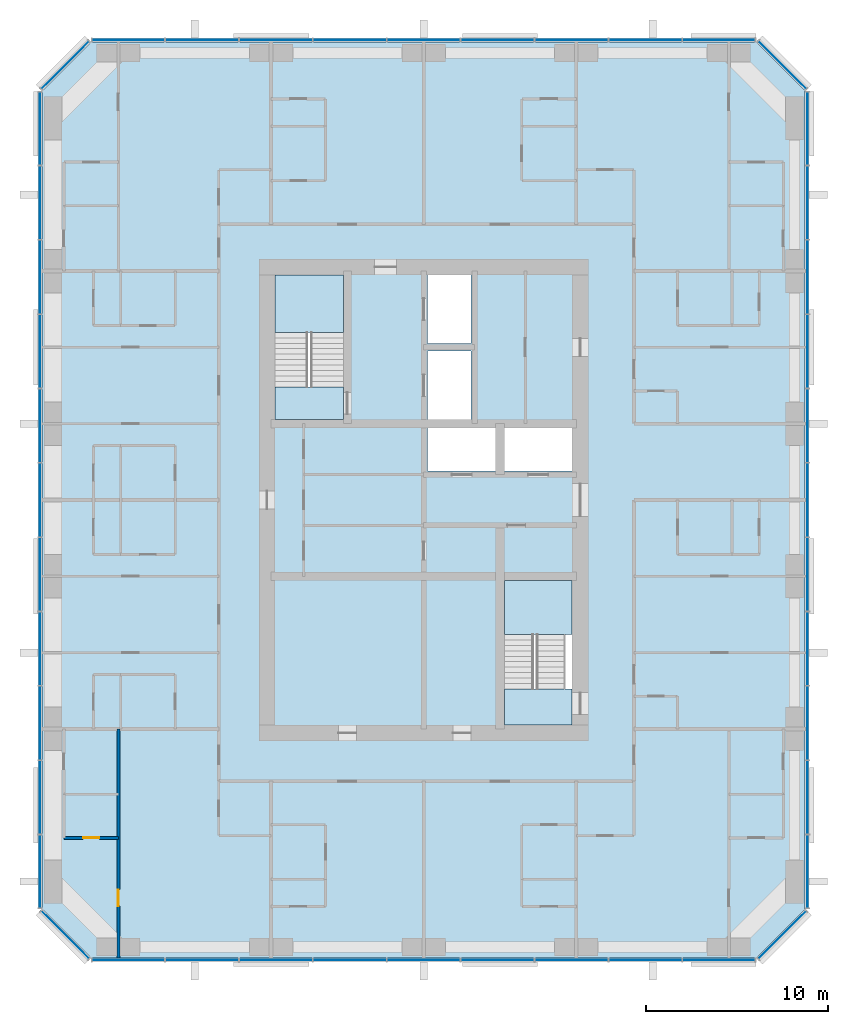
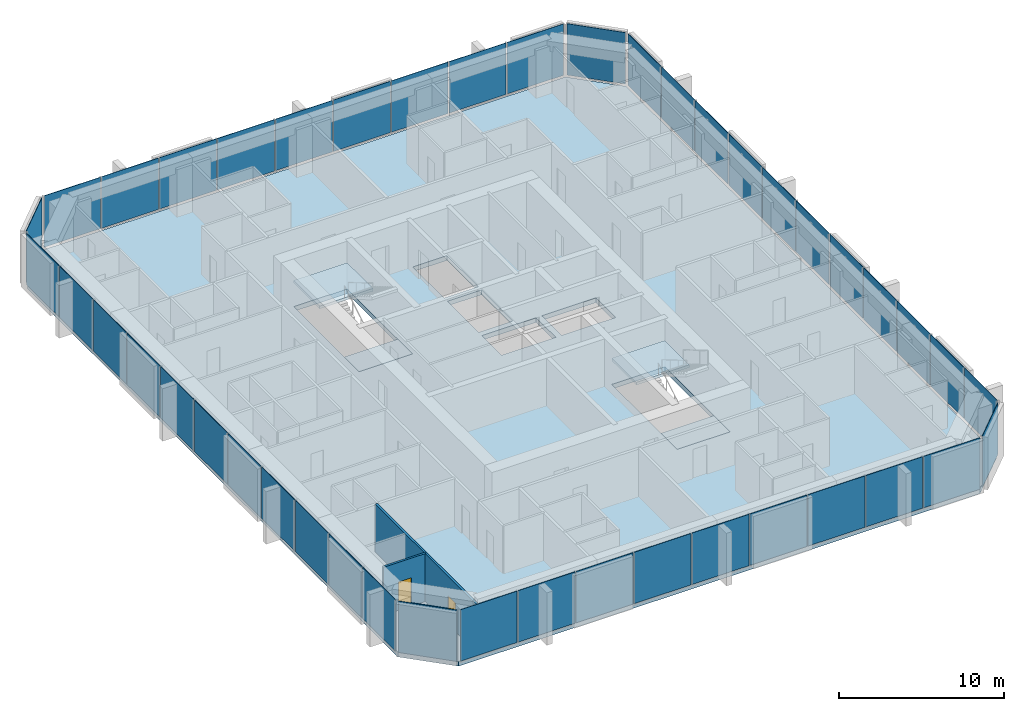
# One storey, part 6 of 12: 44 plates, 5 slabs, 2 doors, 2 walls, 2 openings, 10 elements without a shape of their own.
"""IFC4 building model written with IfcOpenShell, lengths in metres."""

from ifc_helpers import new_model, si_unit, direction, frame, frame_2d, origin, origin_2d, place, context, subcontext, project, spatial, polyline, rectangle, outline, extrude, material, layer, layer_set, type_object, element, fill, aggregate, save


model = new_model("IFC4")

# Units and contexts
model_context = context("Model", 3, precision=1e-05, world=origin(), true_north=direction((0.0, 1.0)))
body_context = subcontext(model_context, "Body", "Model", "MODEL_VIEW")
ifc_project = project(units=[si_unit("LENGTHUNIT", "METRE"), si_unit("AREAUNIT", "SQUARE_METRE"), si_unit("VOLUMEUNIT", "CUBIC_METRE"), si_unit("PLANEANGLEUNIT", "RADIAN"), si_unit("MASSUNIT", "GRAM", prefix="KILO")], contexts=[model_context])

# Site, building, storey
site_placement = place(None, origin())
site = spatial("IfcSite", under=ifc_project, at=site_placement, CompositionType="ELEMENT")
building_placement = place(site_placement, origin())
building = spatial("IfcBuilding", under=site, at=building_placement, Name="Dunama Terrace Hotel", CompositionType="ELEMENT")
storey_placement = place(building_placement, frame((0.0, 0.0, 237.300048828125)))
storey = spatial("IfcBuildingStorey", under=building, at=storey_placement, Name="L61", CompositionType="ELEMENT", Elevation=237.300048828125)

# Curtain wall, plates
ifc_material_1 = material(Name="Aluminium curtain wall system", Category="aluminium")
curtain_wall_type = type_object("IfcCurtainWallType", Name="Unitised fritted glass wall CW-D", PredefinedType="NOTDEFINED", material=ifc_material_1)
curtain_wall_1_placement = place(storey_placement, origin())
curtain_wall_1 = element("IfcCurtainWall", 1, at=curtain_wall_1_placement, inside=storey, type_object=curtain_wall_type, Name="Unitised fritted glass wall CW-D L61", PredefinedType="NOTDEFINED")
ifc_material_2 = material(Name="Laminated glass", Category="glass")
ifc_layer_1 = layer(ifc_material_2, 0.035888671875)
ifc_layer_set_1 = layer_set([ifc_layer_1], Name="CWD clear glass panel")
plate_type_1 = type_object("IfcPlateType", Name="CWD clear glass panel", PredefinedType="CURTAIN_PANEL", material=ifc_layer_set_1)
plate_1_placement = place(storey_placement, frame((17.35107421875, 4.080078125, 0.0849609375), z_axis=(0.0, 0.0, 1.0), x_axis=(1.0, 0.0, 0.0)))
plate_1 = element("IfcPlate", 2, at=plate_1_placement, type_object=plate_type_1, Name="CWD clear glass panel", PredefinedType="CURTAIN_PANEL", context=body_context, shape_type="SweptSolid", body=[
    extrude(rectangle(XDim=3.961669921875, YDim=0.035888671875, at=origin_2d()), origin(), (0.0, 0.0, 1.0), 3.81494140625),
])
plate_2_placement = place(storey_placement, frame((29.532958984375, 4.080078125, 0.0849609375), z_axis=(0.0, 0.0, 1.0), x_axis=(1.0, 0.0, 0.0)))
plate_2 = element("IfcPlate", 3, at=plate_2_placement, type_object=plate_type_1, Name="CWD clear glass panel", PredefinedType="CURTAIN_PANEL", context=body_context, shape_type="SweptSolid", body=[
    extrude(rectangle(XDim=3.99658203125, YDim=0.035888671875, at=origin_2d()), origin(), (0.0, 0.0, 1.0), 3.81494140625),
])
plate_3_placement = place(storey_placement, frame((41.73291015625, 4.080078125, 0.0849609375), z_axis=(0.0, 0.0, 1.0), x_axis=(1.0, 0.0, 0.0)))
plate_3 = element("IfcPlate", 4, at=plate_3_placement, type_object=plate_type_1, Name="CWD clear glass panel", PredefinedType="CURTAIN_PANEL", context=body_context, shape_type="SweptSolid", body=[
    extrude(rectangle(XDim=3.99658203125, YDim=0.035888671875, at=origin_2d()), origin(), (0.0, 0.0, 1.0), 3.81494140625),
])

# Curtain wall, plate
curtain_wall_2_placement = place(storey_placement, origin())
curtain_wall_2 = element("IfcCurtainWall", 5, at=curtain_wall_2_placement, inside=storey, type_object=curtain_wall_type, Name="Unitised fritted glass wall CW-D L61", PredefinedType="NOTDEFINED")
plate_4_placement = place(storey_placement, frame((53.3349609375, 5.465087890625, 0.0849609375), z_axis=(0.0, 0.0, 1.0), x_axis=(0.707106781187, 0.707106781187, 0.0)))
plate_4 = element("IfcPlate", 6, at=plate_4_placement, type_object=plate_type_1, Name="CWD clear glass panel", PredefinedType="CURTAIN_PANEL", context=body_context, shape_type="SweptSolid", body=[
    extrude(rectangle(XDim=3.678466796875, YDim=0.035888671875, at=origin_2d()), origin(), (0.0, 0.0, 1.0), 3.81494140625),
])
aggregate(curtain_wall_2, [plate_4])

# Curtain wall, plates
curtain_wall_3_placement = place(storey_placement, origin())
curtain_wall_3 = element("IfcCurtainWall", 7, at=curtain_wall_3_placement, inside=storey, type_object=curtain_wall_type, Name="Unitised fritted glass wall CW-D L61", PredefinedType="NOTDEFINED")
plate_5_placement = place(storey_placement, frame((54.719970703125, 17.126953125, 0.0849609375), z_axis=(0.0, 0.0, 1.0), x_axis=(0.0, 1.0, 0.0)))
plate_5 = element("IfcPlate", 8, at=plate_5_placement, type_object=plate_type_1, Name="CWD clear glass panel", PredefinedType="CURTAIN_PANEL", context=body_context, shape_type="SweptSolid", body=[
    extrude(rectangle(XDim=4.02099609375, YDim=0.035888671875, at=origin_2d()), origin(), (0.0, 0.0, 1.0), 3.81494140625),
])
plate_6_placement = place(storey_placement, frame((54.719970703125, 29.39990234375, 0.0849609375), z_axis=(0.0, 0.0, 1.0), x_axis=(0.0, 1.0, 0.0)))
plate_6 = element("IfcPlate", 9, at=plate_6_placement, type_object=plate_type_1, Name="CWD clear glass panel", PredefinedType="CURTAIN_PANEL", context=body_context, shape_type="SweptSolid", body=[
    extrude(rectangle(XDim=4.02099609375, YDim=0.035888671875, at=origin_2d()), origin(), (0.0, 0.0, 1.0), 3.81494140625),
])
plate_7_placement = place(storey_placement, frame((54.719970703125, 41.673095703125, 0.0849609375), z_axis=(0.0, 0.0, 1.0), x_axis=(0.0, 1.0, 0.0)))
plate_7 = element("IfcPlate", 10, at=plate_7_placement, type_object=plate_type_1, Name="CWD clear glass panel", PredefinedType="CURTAIN_PANEL", context=body_context, shape_type="SweptSolid", body=[
    extrude(rectangle(XDim=4.02099609375, YDim=0.035888671875, at=origin_2d()), origin(), (0.0, 0.0, 1.0), 3.81494140625),
])

# Curtain wall, plate
curtain_wall_4_placement = place(storey_placement, origin())
curtain_wall_4 = element("IfcCurtainWall", 11, at=curtain_wall_4_placement, inside=storey, type_object=curtain_wall_type, Name="Unitised fritted glass wall CW-D L61", PredefinedType="NOTDEFINED")
plate_8_placement = place(storey_placement, frame((53.3349609375, 53.3349609375, 0.0849609375), z_axis=(0.0, 0.0, 1.0), x_axis=(-0.707106781187, 0.707106781187, 0.0)))
plate_8 = element("IfcPlate", 12, at=plate_8_placement, type_object=plate_type_1, Name="CWD clear glass panel", PredefinedType="CURTAIN_PANEL", context=body_context, shape_type="SweptSolid", body=[
    extrude(rectangle(XDim=3.678466796875, YDim=0.035888671875, at=origin_2d()), origin(), (0.0, 0.0, 1.0), 3.81494140625),
])
aggregate(curtain_wall_4, [plate_8])

# Curtain wall, plates
curtain_wall_5_placement = place(storey_placement, origin())
curtain_wall_5 = element("IfcCurtainWall", 13, at=curtain_wall_5_placement, inside=storey, type_object=curtain_wall_type, Name="Unitised fritted glass wall CW-D L61", PredefinedType="NOTDEFINED")
plate_9_placement = place(storey_placement, frame((41.73291015625, 54.719970703125, 0.0849609375), z_axis=(0.0, 0.0, 1.0), x_axis=(-1.0, 0.0, 0.0)))
plate_9 = element("IfcPlate", 14, at=plate_9_placement, type_object=plate_type_1, Name="CWD clear glass panel", PredefinedType="CURTAIN_PANEL", context=body_context, shape_type="SweptSolid", body=[
    extrude(rectangle(XDim=3.99658203125, YDim=0.035888671875, at=origin_2d()), origin(), (0.0, 0.0, 1.0), 3.81494140625),
])
plate_10_placement = place(storey_placement, frame((29.532958984375, 54.719970703125, 0.0849609375), z_axis=(0.0, 0.0, 1.0), x_axis=(-1.0, 0.0, 0.0)))
plate_10 = element("IfcPlate", 15, at=plate_10_placement, type_object=plate_type_1, Name="CWD clear glass panel", PredefinedType="CURTAIN_PANEL", context=body_context, shape_type="SweptSolid", body=[
    extrude(rectangle(XDim=3.99658203125, YDim=0.035888671875, at=origin_2d()), origin(), (0.0, 0.0, 1.0), 3.81494140625),
])
plate_11_placement = place(storey_placement, frame((17.35107421875, 54.719970703125, 0.0849609375), z_axis=(0.0, 0.0, 1.0), x_axis=(-1.0, 0.0, 0.0)))
plate_11 = element("IfcPlate", 16, at=plate_11_placement, type_object=plate_type_1, Name="CWD clear glass panel", PredefinedType="CURTAIN_PANEL", context=body_context, shape_type="SweptSolid", body=[
    extrude(rectangle(XDim=3.961669921875, YDim=0.035888671875, at=origin_2d()), origin(), (0.0, 0.0, 1.0), 3.81494140625),
])

curtain_wall_6_placement = place(storey_placement, origin())
curtain_wall_6 = element("IfcCurtainWall", 17, at=curtain_wall_6_placement, inside=storey, type_object=curtain_wall_type, Name="Unitised fritted glass wall CW-D L61", PredefinedType="NOTDEFINED")
plate_12_placement = place(storey_placement, frame((12.47998046875, 45.763916015625, 0.0849609375), z_axis=(0.0, 0.0, 1.0), x_axis=(0.0, -1.0, 0.0)))
plate_12 = element("IfcPlate", 18, at=plate_12_placement, type_object=plate_type_1, Name="CWD clear glass panel", PredefinedType="CURTAIN_PANEL", context=body_context, shape_type="SweptSolid", body=[
    extrude(rectangle(XDim=4.02099609375, YDim=0.035888671875, at=origin_2d()), origin(), (0.0, 0.0, 1.0), 3.81494140625),
])
plate_13_placement = place(storey_placement, frame((12.47998046875, 33.490966796875, 0.0849609375), z_axis=(0.0, 0.0, 1.0), x_axis=(0.0, -1.0, 0.0)))
plate_13 = element("IfcPlate", 19, at=plate_13_placement, type_object=plate_type_1, Name="CWD clear glass panel", PredefinedType="CURTAIN_PANEL", context=body_context, shape_type="SweptSolid", body=[
    extrude(rectangle(XDim=4.02099609375, YDim=0.035888671875, at=origin_2d()), origin(), (0.0, 0.0, 1.0), 3.81494140625),
])
plate_14_placement = place(storey_placement, frame((12.47998046875, 21.218017578125, 0.0849609375), z_axis=(0.0, 0.0, 1.0), x_axis=(0.0, -1.0, 0.0)))
plate_14 = element("IfcPlate", 20, at=plate_14_placement, type_object=plate_type_1, Name="CWD clear glass panel", PredefinedType="CURTAIN_PANEL", context=body_context, shape_type="SweptSolid", body=[
    extrude(rectangle(XDim=4.02099609375, YDim=0.035888671875, at=origin_2d()), origin(), (0.0, 0.0, 1.0), 3.81494140625),
])
plate_15_placement = place(storey_placement, frame((12.47998046875, 8.962890625, 0.0849609375), z_axis=(0.0, 0.0, 1.0), x_axis=(0.0, -1.0, 0.0)))
plate_15 = element("IfcPlate", 21, at=plate_15_placement, type_object=plate_type_1, Name="CWD clear glass panel", PredefinedType="CURTAIN_PANEL", context=body_context, shape_type="SweptSolid", body=[
    extrude(rectangle(XDim=3.98583984375, YDim=0.035888671875, at=origin_2d()), origin(), (0.0, 0.0, 1.0), 3.81494140625),
])

# Plate
ifc_material_3 = material(Name="Fritted laminated glass", Category="glass")
ifc_layer_2 = layer(ifc_material_3, 0.035888671875)
ifc_layer_set_2 = layer_set([ifc_layer_2], Name="CWD fritted glass panel")
plate_type_2 = type_object("IfcPlateType", Name="CWD fritted glass panel", PredefinedType="CURTAIN_PANEL", material=ifc_layer_set_2)
plate_16_placement = place(storey_placement, frame((25.467041015625, 4.080078125, 0.0849609375), z_axis=(0.0, 0.0, 1.0), x_axis=(1.0, 0.0, 0.0)))
plate_16 = element("IfcPlate", 22, at=plate_16_placement, type_object=plate_type_2, Name="CWD fritted glass panel", PredefinedType="CURTAIN_PANEL", context=body_context, shape_type="SweptSolid", body=[
    extrude(rectangle(XDim=3.99658203125, YDim=0.035888671875, at=origin_2d()), origin(), (0.0, 0.0, 1.0), 3.81494140625),
])

plate_17_placement = place(storey_placement, frame((37.6669921875, 4.080078125, 0.0849609375), z_axis=(0.0, 0.0, 1.0), x_axis=(1.0, 0.0, 0.0)))
plate_17 = element("IfcPlate", 23, at=plate_17_placement, type_object=plate_type_2, Name="CWD fritted glass panel", PredefinedType="CURTAIN_PANEL", context=body_context, shape_type="SweptSolid", body=[
    extrude(rectangle(XDim=3.99658203125, YDim=0.035888671875, at=origin_2d()), origin(), (0.0, 0.0, 1.0), 3.81494140625),
])

plate_18_placement = place(storey_placement, frame((49.84912109375, 4.080078125, 0.0849609375), z_axis=(0.0, 0.0, 1.0), x_axis=(1.0, 0.0, 0.0)))
plate_18 = element("IfcPlate", 24, at=plate_18_placement, type_object=plate_type_2, Name="CWD fritted glass panel", PredefinedType="CURTAIN_PANEL", context=body_context, shape_type="SweptSolid", body=[
    extrude(rectangle(XDim=3.961669921875, YDim=0.035888671875, at=origin_2d()), origin(), (0.0, 0.0, 1.0), 3.81494140625),
])

plate_19_placement = place(storey_placement, frame((54.719970703125, 13.035888671875, 0.0849609375), z_axis=(0.0, 0.0, 1.0), x_axis=(0.0, 1.0, 0.0)))
plate_19 = element("IfcPlate", 25, at=plate_19_placement, type_object=plate_type_2, Name="CWD fritted glass panel", PredefinedType="CURTAIN_PANEL", context=body_context, shape_type="SweptSolid", body=[
    extrude(rectangle(XDim=4.02099609375, YDim=0.035888671875, at=origin_2d()), origin(), (0.0, 0.0, 1.0), 3.81494140625),
])

plate_20_placement = place(storey_placement, frame((54.719970703125, 25.30908203125, 0.0849609375), z_axis=(0.0, 0.0, 1.0), x_axis=(0.0, 1.0, 0.0)))
plate_20 = element("IfcPlate", 26, at=plate_20_placement, type_object=plate_type_2, Name="CWD fritted glass panel", PredefinedType="CURTAIN_PANEL", context=body_context, shape_type="SweptSolid", body=[
    extrude(rectangle(XDim=4.02099609375, YDim=0.035888671875, at=origin_2d()), origin(), (0.0, 0.0, 1.0), 3.81494140625),
])

plate_21_placement = place(storey_placement, frame((54.719970703125, 37.58203125, 0.0849609375), z_axis=(0.0, 0.0, 1.0), x_axis=(0.0, 1.0, 0.0)))
plate_21 = element("IfcPlate", 27, at=plate_21_placement, type_object=plate_type_2, Name="CWD fritted glass panel", PredefinedType="CURTAIN_PANEL", context=body_context, shape_type="SweptSolid", body=[
    extrude(rectangle(XDim=4.02099609375, YDim=0.035888671875, at=origin_2d()), origin(), (0.0, 0.0, 1.0), 3.81494140625),
])

plate_22_placement = place(storey_placement, frame((54.719970703125, 49.8369140625, 0.0849609375), z_axis=(0.0, 0.0, 1.0), x_axis=(0.0, 1.0, 0.0)))
plate_22 = element("IfcPlate", 28, at=plate_22_placement, type_object=plate_type_2, Name="CWD fritted glass panel", PredefinedType="CURTAIN_PANEL", context=body_context, shape_type="SweptSolid", body=[
    extrude(rectangle(XDim=3.98583984375, YDim=0.035888671875, at=origin_2d()), origin(), (0.0, 0.0, 1.0), 3.81494140625),
])

plate_23_placement = place(storey_placement, frame((45.800048828125, 54.719970703125, 0.0849609375), z_axis=(0.0, 0.0, 1.0), x_axis=(-1.0, 0.0, 0.0)))
plate_23 = element("IfcPlate", 29, at=plate_23_placement, type_object=plate_type_2, Name="CWD fritted glass panel", PredefinedType="CURTAIN_PANEL", context=body_context, shape_type="SweptSolid", body=[
    extrude(rectangle(XDim=3.99658203125, YDim=0.035888671875, at=origin_2d()), origin(), (0.0, 0.0, 1.0), 3.81494140625),
])

plate_24_placement = place(storey_placement, frame((33.60009765625, 54.719970703125, 0.0849609375), z_axis=(0.0, 0.0, 1.0), x_axis=(-1.0, 0.0, 0.0)))
plate_24 = element("IfcPlate", 30, at=plate_24_placement, type_object=plate_type_2, Name="CWD fritted glass panel", PredefinedType="CURTAIN_PANEL", context=body_context, shape_type="SweptSolid", body=[
    extrude(rectangle(XDim=3.99658203125, YDim=0.035888671875, at=origin_2d()), origin(), (0.0, 0.0, 1.0), 3.81494140625),
])

plate_25_placement = place(storey_placement, frame((21.39990234375, 54.719970703125, 0.0849609375), z_axis=(0.0, 0.0, 1.0), x_axis=(-1.0, 0.0, 0.0)))
plate_25 = element("IfcPlate", 31, at=plate_25_placement, type_object=plate_type_2, Name="CWD fritted glass panel", PredefinedType="CURTAIN_PANEL", context=body_context, shape_type="SweptSolid", body=[
    extrude(rectangle(XDim=3.99658203125, YDim=0.035888671875, at=origin_2d()), origin(), (0.0, 0.0, 1.0), 3.81494140625),
])

plate_26_placement = place(storey_placement, frame((12.47998046875, 49.8369140625, 0.0849609375), z_axis=(0.0, 0.0, 1.0), x_axis=(0.0, -1.0, 0.0)))
plate_26 = element("IfcPlate", 32, at=plate_26_placement, type_object=plate_type_2, Name="CWD fritted glass panel", PredefinedType="CURTAIN_PANEL", context=body_context, shape_type="SweptSolid", body=[
    extrude(rectangle(XDim=3.98583984375, YDim=0.035888671875, at=origin_2d()), origin(), (0.0, 0.0, 1.0), 3.81494140625),
])

plate_27_placement = place(storey_placement, frame((12.47998046875, 37.58203125, 0.0849609375), z_axis=(0.0, 0.0, 1.0), x_axis=(0.0, -1.0, 0.0)))
plate_27 = element("IfcPlate", 33, at=plate_27_placement, type_object=plate_type_2, Name="CWD fritted glass panel", PredefinedType="CURTAIN_PANEL", context=body_context, shape_type="SweptSolid", body=[
    extrude(rectangle(XDim=4.02099609375, YDim=0.035888671875, at=origin_2d()), origin(), (0.0, 0.0, 1.0), 3.81494140625),
])

plate_28_placement = place(storey_placement, frame((12.47998046875, 25.30908203125, 0.0849609375), z_axis=(0.0, 0.0, 1.0), x_axis=(0.0, -1.0, 0.0)))
plate_28 = element("IfcPlate", 34, at=plate_28_placement, type_object=plate_type_2, Name="CWD fritted glass panel", PredefinedType="CURTAIN_PANEL", context=body_context, shape_type="SweptSolid", body=[
    extrude(rectangle(XDim=4.02099609375, YDim=0.035888671875, at=origin_2d()), origin(), (0.0, 0.0, 1.0), 3.81494140625),
])

plate_29_placement = place(storey_placement, frame((12.47998046875, 13.035888671875, 0.0849609375), z_axis=(0.0, 0.0, 1.0), x_axis=(0.0, -1.0, 0.0)))
plate_29 = element("IfcPlate", 35, at=plate_29_placement, type_object=plate_type_2, Name="CWD fritted glass panel", PredefinedType="CURTAIN_PANEL", context=body_context, shape_type="SweptSolid", body=[
    extrude(rectangle(XDim=4.02099609375, YDim=0.035888671875, at=origin_2d()), origin(), (0.0, 0.0, 1.0), 3.81494140625),
])

ifc_material_4 = material(Name="Laminated glass", Category="glass")
ifc_layer_3 = layer(ifc_material_4, 0.035888671875)
ifc_layer_set_3 = layer_set([ifc_layer_3], Name="CWD operable glass panel")
plate_type_3 = type_object("IfcPlateType", Name="CWD operable glass panel", PredefinedType="CURTAIN_PANEL", material=ifc_layer_set_3)
plate_30_placement = place(storey_placement, frame((21.39990234375, 4.080078125, 0.0849609375), z_axis=(0.0, 0.0, 1.0), x_axis=(1.0, 0.0, 0.0)))
plate_30 = element("IfcPlate", 36, at=plate_30_placement, type_object=plate_type_3, Name="CWD operable glass panel", PredefinedType="CURTAIN_PANEL", context=body_context, shape_type="SweptSolid", body=[
    extrude(rectangle(XDim=3.99658203125, YDim=0.035888671875, at=origin_2d()), origin(), (0.0, 0.0, 1.0), 3.81494140625),
])

plate_31_placement = place(storey_placement, frame((33.60009765625, 4.080078125, 0.0849609375), z_axis=(0.0, 0.0, 1.0), x_axis=(1.0, 0.0, 0.0)))
plate_31 = element("IfcPlate", 37, at=plate_31_placement, type_object=plate_type_3, Name="CWD operable glass panel", PredefinedType="CURTAIN_PANEL", context=body_context, shape_type="SweptSolid", body=[
    extrude(rectangle(XDim=3.99658203125, YDim=0.035888671875, at=origin_2d()), origin(), (0.0, 0.0, 1.0), 3.81494140625),
])

plate_32_placement = place(storey_placement, frame((45.800048828125, 4.080078125, 0.0849609375), z_axis=(0.0, 0.0, 1.0), x_axis=(1.0, 0.0, 0.0)))
plate_32 = element("IfcPlate", 38, at=plate_32_placement, type_object=plate_type_3, Name="CWD operable glass panel", PredefinedType="CURTAIN_PANEL", context=body_context, shape_type="SweptSolid", body=[
    extrude(rectangle(XDim=3.99658203125, YDim=0.035888671875, at=origin_2d()), origin(), (0.0, 0.0, 1.0), 3.81494140625),
])

aggregate(curtain_wall_1, [plate_1, plate_30, plate_16, plate_2, plate_31, plate_17, plate_3, plate_32, plate_18])

plate_33_placement = place(storey_placement, frame((54.719970703125, 8.962890625, 0.0849609375), z_axis=(0.0, 0.0, 1.0), x_axis=(0.0, 1.0, 0.0)))
plate_33 = element("IfcPlate", 39, at=plate_33_placement, type_object=plate_type_3, Name="CWD operable glass panel", PredefinedType="CURTAIN_PANEL", context=body_context, shape_type="SweptSolid", body=[
    extrude(rectangle(XDim=3.98583984375, YDim=0.035888671875, at=origin_2d()), origin(), (0.0, 0.0, 1.0), 3.81494140625),
])

plate_34_placement = place(storey_placement, frame((54.719970703125, 21.218017578125, 0.0849609375), z_axis=(0.0, 0.0, 1.0), x_axis=(0.0, 1.0, 0.0)))
plate_34 = element("IfcPlate", 40, at=plate_34_placement, type_object=plate_type_3, Name="CWD operable glass panel", PredefinedType="CURTAIN_PANEL", context=body_context, shape_type="SweptSolid", body=[
    extrude(rectangle(XDim=4.02099609375, YDim=0.035888671875, at=origin_2d()), origin(), (0.0, 0.0, 1.0), 3.81494140625),
])

plate_35_placement = place(storey_placement, frame((54.719970703125, 33.490966796875, 0.0849609375), z_axis=(0.0, 0.0, 1.0), x_axis=(0.0, 1.0, 0.0)))
plate_35 = element("IfcPlate", 41, at=plate_35_placement, type_object=plate_type_3, Name="CWD operable glass panel", PredefinedType="CURTAIN_PANEL", context=body_context, shape_type="SweptSolid", body=[
    extrude(rectangle(XDim=4.02099609375, YDim=0.035888671875, at=origin_2d()), origin(), (0.0, 0.0, 1.0), 3.81494140625),
])

plate_36_placement = place(storey_placement, frame((54.719970703125, 45.763916015625, 0.0849609375), z_axis=(0.0, 0.0, 1.0), x_axis=(0.0, 1.0, 0.0)))
plate_36 = element("IfcPlate", 42, at=plate_36_placement, type_object=plate_type_3, Name="CWD operable glass panel", PredefinedType="CURTAIN_PANEL", context=body_context, shape_type="SweptSolid", body=[
    extrude(rectangle(XDim=4.02099609375, YDim=0.035888671875, at=origin_2d()), origin(), (0.0, 0.0, 1.0), 3.81494140625),
])

aggregate(curtain_wall_3, [plate_33, plate_19, plate_5, plate_34, plate_20, plate_6, plate_35, plate_21, plate_7, plate_36, plate_22])

plate_37_placement = place(storey_placement, frame((49.84912109375, 54.719970703125, 0.0849609375), z_axis=(0.0, 0.0, 1.0), x_axis=(-1.0, 0.0, 0.0)))
plate_37 = element("IfcPlate", 43, at=plate_37_placement, type_object=plate_type_3, Name="CWD operable glass panel", PredefinedType="CURTAIN_PANEL", context=body_context, shape_type="SweptSolid", body=[
    extrude(rectangle(XDim=3.961669921875, YDim=0.035888671875, at=origin_2d()), origin(), (0.0, 0.0, 1.0), 3.81494140625),
])

plate_38_placement = place(storey_placement, frame((37.6669921875, 54.719970703125, 0.0849609375), z_axis=(0.0, 0.0, 1.0), x_axis=(-1.0, 0.0, 0.0)))
plate_38 = element("IfcPlate", 44, at=plate_38_placement, type_object=plate_type_3, Name="CWD operable glass panel", PredefinedType="CURTAIN_PANEL", context=body_context, shape_type="SweptSolid", body=[
    extrude(rectangle(XDim=3.99658203125, YDim=0.035888671875, at=origin_2d()), origin(), (0.0, 0.0, 1.0), 3.81494140625),
])

plate_39_placement = place(storey_placement, frame((25.467041015625, 54.719970703125, 0.0849609375), z_axis=(0.0, 0.0, 1.0), x_axis=(-1.0, 0.0, 0.0)))
plate_39 = element("IfcPlate", 45, at=plate_39_placement, type_object=plate_type_3, Name="CWD operable glass panel", PredefinedType="CURTAIN_PANEL", context=body_context, shape_type="SweptSolid", body=[
    extrude(rectangle(XDim=3.99658203125, YDim=0.035888671875, at=origin_2d()), origin(), (0.0, 0.0, 1.0), 3.81494140625),
])

aggregate(curtain_wall_5, [plate_37, plate_23, plate_9, plate_38, plate_24, plate_10, plate_39, plate_25, plate_11])

# Curtain wall, plate
curtain_wall_7_placement = place(storey_placement, origin())
curtain_wall_7 = element("IfcCurtainWall", 46, at=curtain_wall_7_placement, inside=storey, type_object=curtain_wall_type, Name="Unitised fritted glass wall CW-D L61", PredefinedType="NOTDEFINED")
plate_40_placement = place(storey_placement, frame((13.864990234375, 53.3349609375, 0.0849609375), z_axis=(0.0, 0.0, 1.0), x_axis=(-0.707106781187, -0.707106781187, 0.0)))
plate_40 = element("IfcPlate", 47, at=plate_40_placement, type_object=plate_type_3, Name="CWD operable glass panel", PredefinedType="CURTAIN_PANEL", context=body_context, shape_type="SweptSolid", body=[
    extrude(rectangle(XDim=3.678466796875, YDim=0.035888671875, at=origin_2d()), origin(), (0.0, 0.0, 1.0), 3.81494140625),
])
aggregate(curtain_wall_7, [plate_40])

# Plate
plate_41_placement = place(storey_placement, frame((12.47998046875, 41.673095703125, 0.0849609375), z_axis=(0.0, 0.0, 1.0), x_axis=(0.0, -1.0, 0.0)))
plate_41 = element("IfcPlate", 48, at=plate_41_placement, type_object=plate_type_3, Name="CWD operable glass panel", PredefinedType="CURTAIN_PANEL", context=body_context, shape_type="SweptSolid", body=[
    extrude(rectangle(XDim=4.02099609375, YDim=0.035888671875, at=origin_2d()), origin(), (0.0, 0.0, 1.0), 3.81494140625),
])

plate_42_placement = place(storey_placement, frame((12.47998046875, 29.39990234375, 0.0849609375), z_axis=(0.0, 0.0, 1.0), x_axis=(0.0, -1.0, 0.0)))
plate_42 = element("IfcPlate", 49, at=plate_42_placement, type_object=plate_type_3, Name="CWD operable glass panel", PredefinedType="CURTAIN_PANEL", context=body_context, shape_type="SweptSolid", body=[
    extrude(rectangle(XDim=4.02099609375, YDim=0.035888671875, at=origin_2d()), origin(), (0.0, 0.0, 1.0), 3.81494140625),
])

plate_43_placement = place(storey_placement, frame((12.47998046875, 17.126953125, 0.0849609375), z_axis=(0.0, 0.0, 1.0), x_axis=(0.0, -1.0, 0.0)))
plate_43 = element("IfcPlate", 50, at=plate_43_placement, type_object=plate_type_3, Name="CWD operable glass panel", PredefinedType="CURTAIN_PANEL", context=body_context, shape_type="SweptSolid", body=[
    extrude(rectangle(XDim=4.02099609375, YDim=0.035888671875, at=origin_2d()), origin(), (0.0, 0.0, 1.0), 3.81494140625),
])

aggregate(curtain_wall_6, [plate_26, plate_12, plate_41, plate_27, plate_13, plate_42, plate_28, plate_14, plate_43, plate_29, plate_15])

# Curtain wall, plate
curtain_wall_8_placement = place(storey_placement, origin())
curtain_wall_8 = element("IfcCurtainWall", 51, at=curtain_wall_8_placement, inside=storey, type_object=curtain_wall_type, Name="Unitised fritted glass wall CW-D L61", PredefinedType="NOTDEFINED")
plate_44_placement = place(storey_placement, frame((13.864990234375, 5.465087890625, 0.0849609375), z_axis=(0.0, 0.0, 1.0), x_axis=(0.707106781187, -0.707106781187, 0.0)))
plate_44 = element("IfcPlate", 52, at=plate_44_placement, type_object=plate_type_3, Name="CWD operable glass panel", PredefinedType="CURTAIN_PANEL", context=body_context, shape_type="SweptSolid", body=[
    extrude(rectangle(XDim=3.678466796875, YDim=0.035888671875, at=origin_2d()), origin(), (0.0, 0.0, 1.0), 3.81494140625),
])
aggregate(curtain_wall_8, [plate_44])

# Slab
ifc_material_5 = material(Name="Concrete C40/50", Category="concrete")
ifc_layer_4 = layer(ifc_material_5, 0.35009765625)
ifc_layer_set_4 = layer_set([ifc_layer_4], Name="Flat plate 350")
slab_type_1 = type_object("IfcSlabType", Name="Flat plate 350", PredefinedType="FLOOR", material=ifc_layer_set_4)
slab_1_placement = place(storey_placement, frame((0.0, 0.0, -0.35009765625)))
element("IfcSlab", 53, at=slab_1_placement, inside=storey, type_object=slab_type_1, Name="Floor slab L61", PredefinedType="FLOOR", context=body_context, shape_type="SweptSolid", body=[
    extrude(outline(polyline([(15.300048828125, 4.199951171875), (51.89990234375, 4.199951171875), (54.60009765625, 6.89990234375), (54.60009765625, 51.89990234375), (51.89990234375, 54.60009765625), (15.300048828125, 54.60009765625), (12.60009765625, 51.89990234375), (12.60009765625, 6.89990234375), (15.300048828125, 4.199951171875)]), holes=[polyline([(37.60009765625, 31.0), (37.60009765625, 33.39990234375), (33.800048828125, 33.39990234375), (33.800048828125, 31.0), (37.60009765625, 31.0)]), polyline([(41.800048828125, 31.0), (41.800048828125, 33.39990234375), (38.0, 33.39990234375), (38.0, 31.0), (41.800048828125, 31.0)]), polyline([(36.199951171875, 38.0), (36.199951171875, 41.800048828125), (33.800048828125, 41.800048828125), (33.800048828125, 38.0), (36.199951171875, 38.0)]), polyline([(36.199951171875, 33.800048828125), (36.199951171875, 37.60009765625), (33.800048828125, 37.60009765625), (33.800048828125, 33.800048828125), (36.199951171875, 33.800048828125)]), polyline([(29.175048828125, 33.824951171875), (29.175048828125, 41.77490234375), (25.425048828125, 41.77490234375), (25.425048828125, 33.824951171875), (29.175048828125, 33.824951171875)]), polyline([(41.77490234375, 17.02490234375), (41.77490234375, 24.97509765625), (38.050048828125, 24.97509765625), (38.050048828125, 17.02490234375), (41.77490234375, 17.02490234375)])]), origin(), (0.0, 0.0, 1.0), 0.35009765625),
])

# Stair, slabs
ifc_material_6 = material(Name="Concrete C40/50", Category="concrete")
stair_type_1 = type_object("IfcStairType", Name="Stair ST1-3900-1800", PredefinedType="HALF_TURN_STAIR", material=ifc_material_6)
stair_1_placement = place(storey_placement, origin())
stair_1 = element("IfcStair", 54, at=stair_1_placement, inside=storey, type_object=stair_type_1, Name="Stair ST1 L61", PredefinedType="HALF_TURN_STAIR")
ifc_material_7 = material(Name="Concrete C40/50", Category="concrete")
ifc_layer_5 = layer(ifc_material_7, 0.199951171875)
ifc_layer_set_5 = layer_set([ifc_layer_5], Name="Stair landing 200")
slab_type_2 = type_object("IfcSlabType", Name="Stair landing 200", PredefinedType="LANDING", material=ifc_layer_set_5)
slab_2_placement = place(storey_placement, frame((0.0, 0.0, -0.199951171875)))
slab_2 = element("IfcSlab", 55, at=slab_2_placement, type_object=slab_type_2, Name="ST1 landing 1, type S10", PredefinedType="LANDING", context=body_context, shape_type="SweptSolid", body=[
    extrude(outline(polyline([(25.425048828125, 33.824951171875), (29.175048828125, 33.824951171875), (29.175048828125, 35.625), (25.425048828125, 35.625), (25.425048828125, 33.824951171875)])), origin(), (0.0, 0.0, 1.0), 0.199951171875),
])
slab_3_placement = place(storey_placement, frame((0.0, 0.0, 1.75)))
slab_3 = element("IfcSlab", 56, at=slab_3_placement, type_object=slab_type_2, Name="ST1 landing 2, type S10", PredefinedType="LANDING", context=body_context, shape_type="SweptSolid", body=[
    extrude(outline(polyline([(25.425048828125, 38.625), (29.175048828125, 38.625), (29.175048828125, 41.77490234375), (25.425048828125, 41.77490234375), (25.425048828125, 38.625)])), origin(), (0.0, 0.0, 1.0), 0.199951171875),
])
aggregate(stair_1, [slab_2, slab_3])

ifc_material_8 = material(Name="Concrete C40/50", Category="concrete")
stair_type_2 = type_object("IfcStairType", Name="Stair ST2-3900-1600", PredefinedType="HALF_TURN_STAIR", material=ifc_material_8)
stair_2_placement = place(storey_placement, origin())
stair_2 = element("IfcStair", 57, at=stair_2_placement, inside=storey, type_object=stair_type_2, Name="Stair ST2 L61", PredefinedType="HALF_TURN_STAIR")
slab_4_placement = place(storey_placement, frame((0.0, 0.0, -0.199951171875)))
slab_4 = element("IfcSlab", 58, at=slab_4_placement, type_object=slab_type_2, Name="ST2 landing 1, type S10", PredefinedType="LANDING", context=body_context, shape_type="SweptSolid", body=[
    extrude(outline(polyline([(38.050048828125, 17.02490234375), (41.77490234375, 17.02490234375), (41.77490234375, 19.0), (38.050048828125, 19.0), (38.050048828125, 17.02490234375)])), origin(), (0.0, 0.0, 1.0), 0.199951171875),
])
slab_5_placement = place(storey_placement, frame((0.0, 0.0, 1.75)))
slab_5 = element("IfcSlab", 59, at=slab_5_placement, type_object=slab_type_2, Name="ST2 landing 2, type S10", PredefinedType="LANDING", context=body_context, shape_type="SweptSolid", body=[
    extrude(outline(polyline([(38.050048828125, 22.0), (41.77490234375, 22.0), (41.77490234375, 24.97509765625), (38.050048828125, 24.97509765625), (38.050048828125, 22.0)])), origin(), (0.0, 0.0, 1.0), 0.199951171875),
])
aggregate(stair_2, [slab_4, slab_5])

# Wall, opening, door
ifc_material_9 = material(Name="Gypsum board partition", Category="masonry")
ifc_layer_6 = layer(ifc_material_9, 0.14990234375)
ifc_layer_set_6 = layer_set([ifc_layer_6], Name="Room partition 150")
wall_type = type_object("IfcWallType", Name="Room partition 150", PredefinedType="PARTITIONING", material=ifc_layer_set_6)
wall_1_placement = place(storey_placement, frame((16.800048828125, 4.181884765625, 0.0), z_axis=(0.0, 0.0, 1.0), x_axis=(0.0, 1.0, 0.0)))
wall_1 = element("IfcWall", 60, at=wall_1_placement, inside=storey, type_object=wall_type, Name="Room partition 150 L61", PredefinedType="PARTITIONING", context=body_context, shape_type="SweptSolid", body=[
    extrude(rectangle(XDim=12.6181640625, YDim=0.14990234375, at=frame_2d((6.30908203125, 0.0))), origin(), (0.0, 0.0, 1.0), 3.550048828125),
])
opening_1_placement = place(wall_1_placement, frame((2.867919921875, 0.0, 0.0)))
opening_1 = element("IfcOpeningElement", 61, at=opening_1_placement, cuts=wall_1, Name="Opening L61-046", PredefinedType="OPENING", context=body_context, shape_type="SweptSolid", body=[
    extrude(rectangle(XDim=0.89990234375, YDim=2.10009765625, at=frame_2d((0.449951171875, 1.050048828125))), frame((0.0, 0.0849609375, 0.0), z_axis=(0.0, -1.0, 0.0), x_axis=(1.0, 0.0, 0.0)), (0.0, 0.0, 1.0), 0.169921875),
])
ifc_material_10 = material(Name="Timber door with steel frame", Category="steel")
door_type = type_object("IfcDoorType", Name="Suite internal door 900", OperationType="SINGLE_SWING_LEFT", PredefinedType="DOOR", material=ifc_material_10)
door_1_placement = place(opening_1_placement, origin())
door_1 = element("IfcDoor", 62, at=door_1_placement, inside=storey, type_object=door_type, Name="Door to grand corner suite bedroom L61-046, type D16", OperationType="SINGLE_SWING_LEFT", OverallHeight=2.10009765625, OverallWidth=0.89990234375, PredefinedType="DOOR", context=body_context, shape_type="SweptSolid", body=[
    extrude(rectangle(XDim=0.89990234375, YDim=2.10009765625, at=frame_2d((0.449951171875, 1.050048828125))), frame((0.0, 0.02490234375, 0.0), z_axis=(0.0, -1.0, 0.0), x_axis=(1.0, 0.0, 0.0)), (0.0, 0.0, 1.0), 0.050048828125),
])
fill(opening_1, door_1)

wall_2_placement = place(storey_placement, frame((13.800048828125, 10.800048828125, 0.0), z_axis=(0.0, 0.0, 1.0), x_axis=(1.0, 0.0, 0.0)))
wall_2 = element("IfcWall", 63, at=wall_2_placement, inside=storey, type_object=wall_type, Name="Room partition 150 L61", PredefinedType="PARTITIONING", context=body_context, shape_type="SweptSolid", body=[
    extrude(rectangle(XDim=3.0, YDim=0.14990234375, at=frame_2d((1.5, 0.0))), origin(), (0.0, 0.0, 1.0), 3.550048828125),
])
opening_2_placement = place(wall_2_placement, frame((1.050048828125, 0.0, 0.0)))
opening_2 = element("IfcOpeningElement", 64, at=opening_2_placement, cuts=wall_2, Name="Opening L61-048", PredefinedType="OPENING", context=body_context, shape_type="SweptSolid", body=[
    extrude(rectangle(XDim=0.89990234375, YDim=2.10009765625, at=frame_2d((0.449951171875, 1.050048828125))), frame((0.0, 0.0849609375, 0.0), z_axis=(0.0, -1.0, 0.0), x_axis=(1.0, 0.0, 0.0)), (0.0, 0.0, 1.0), 0.169921875),
])
door_2_placement = place(opening_2_placement, origin())
door_2 = element("IfcDoor", 65, at=door_2_placement, inside=storey, type_object=door_type, Name="Door to dressing room L61-048, type D16", OperationType="SINGLE_SWING_RIGHT", OverallHeight=2.10009765625, OverallWidth=0.89990234375, PredefinedType="DOOR", context=body_context, shape_type="SweptSolid", body=[
    extrude(rectangle(XDim=0.89990234375, YDim=2.10009765625, at=frame_2d((0.449951171875, 1.050048828125))), frame((0.0, 0.02490234375, 0.0), z_axis=(0.0, -1.0, 0.0), x_axis=(1.0, 0.0, 0.0)), (0.0, 0.0, 1.0), 0.050048828125),
])
fill(opening_2, door_2)

save(model, "model.ifc")
